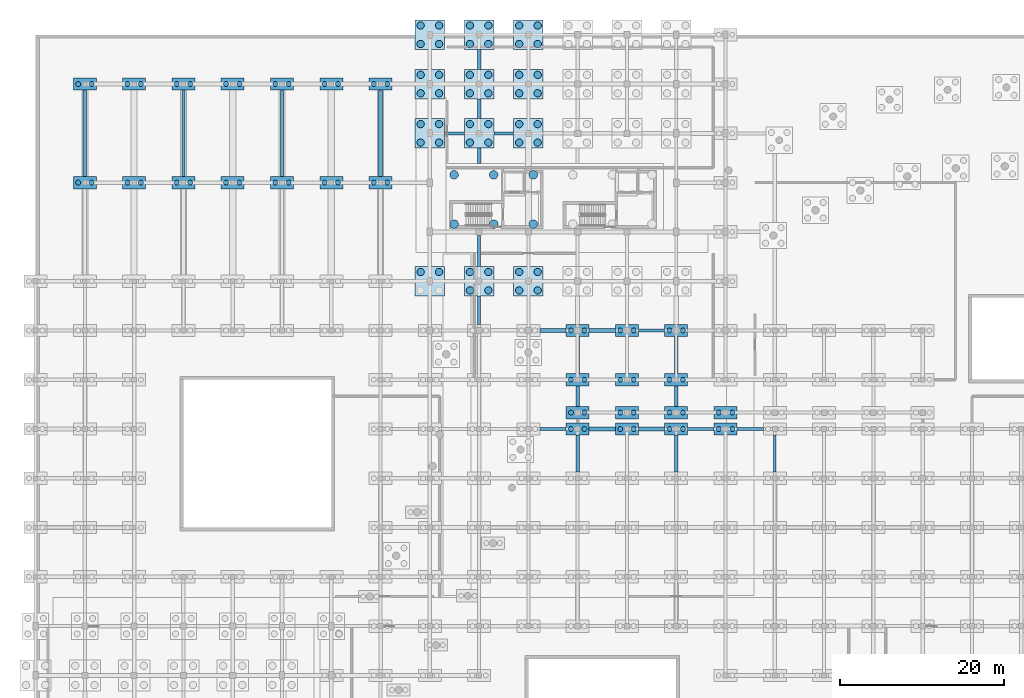
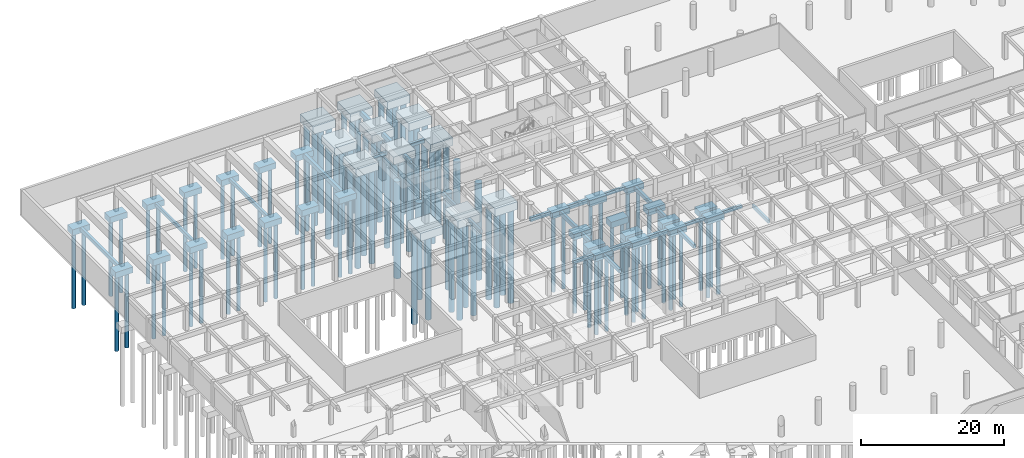
# One storey, part 7 of 41: 108 piles, 66 footings.
"""IFC4 building model written with IfcOpenShell, lengths in metres."""

from ifc_helpers import new_model, si_unit, direction, frame, origin, origin_2d, place, context, subcontext, project, spatial, polyline, rectangle, circle, outline, extrude, material, material_profile, profile_set, type_object, element, save


model = new_model("IFC4")

# Units and contexts
model_context = context("Model", 3, precision=1e-05, world=origin(), true_north=direction((0.0, 1.0)))
body_context = subcontext(model_context, "Body", "Model", "MODEL_VIEW")
ifc_project = project(units=[si_unit("LENGTHUNIT", "METRE"), si_unit("AREAUNIT", "SQUARE_METRE"), si_unit("VOLUMEUNIT", "CUBIC_METRE"), si_unit("PLANEANGLEUNIT", "RADIAN"), si_unit("MASSUNIT", "GRAM", prefix="KILO"), si_unit("POWERUNIT", "WATT"), si_unit("THERMODYNAMICTEMPERATUREUNIT", "KELVIN")], contexts=[model_context])

# Site, building, storey
site_placement = place(None, origin())
site = spatial("IfcSite", under=ifc_project, at=site_placement, CompositionType="ELEMENT")
building_placement = place(site_placement, origin())
building = spatial("IfcBuilding", under=site, at=building_placement, Name="Ruvembo Vaulted Housing Court", CompositionType="ELEMENT")
storey_placement = place(building_placement, frame((0.0, 0.0, -4.5)))
storey = spatial("IfcBuildingStorey", under=building, at=storey_placement, Name="B1", CompositionType="ELEMENT", Elevation=-4.5)

# Footings
ifc_material_1 = material(Name="Concrete C30/37", Category="concrete")
footing_type_1 = type_object("IfcFootingType", Name="GB-350x550", PredefinedType="FOOTING_BEAM", material=ifc_material_1)
footing_1_placement = place(storey_placement, frame((0.0, 0.0, -0.85009765625)))
element("IfcFooting", 1, at=footing_1_placement, inside=storey, type_object=footing_type_1, Name="Ground Tie Beam GB-120", PredefinedType="FOOTING_BEAM", context=body_context, shape_type="SweptSolid", body=[
    extrude(outline(polyline([(79.39990234375, 65.824951171875), (82.60009765625, 65.824951171875), (82.60009765625, 66.175048828125), (79.39990234375, 66.175048828125), (79.39990234375, 65.824951171875)])), origin(), (0.0, 0.0, 1.0), 0.550048828125),
])
footing_2_placement = place(storey_placement, frame((0.0, 0.0, -0.85009765625)))
element("IfcFooting", 2, at=footing_2_placement, inside=storey, type_object=footing_type_1, Name="Ground Tie Beam GB-150", PredefinedType="FOOTING_BEAM", context=body_context, shape_type="SweptSolid", body=[
    extrude(outline(polyline([(73.39990234375, 77.824951171875), (76.60009765625, 77.824951171875), (76.60009765625, 78.175048828125), (73.39990234375, 78.175048828125), (73.39990234375, 77.824951171875)])), origin(), (0.0, 0.0, 1.0), 0.550048828125),
])
footing_3_placement = place(storey_placement, frame((0.0, 0.0, -0.85009765625)))
element("IfcFooting", 3, at=footing_3_placement, inside=storey, type_object=footing_type_1, Name="Ground Tie Beam GB-168", PredefinedType="FOOTING_BEAM", context=body_context, shape_type="SweptSolid", body=[
    extrude(outline(polyline([(49.800048828125, 101.824951171875), (52.199951171875, 101.824951171875), (52.199951171875, 102.175048828125), (49.800048828125, 102.175048828125), (49.800048828125, 101.824951171875)])), origin(), (0.0, 0.0, 1.0), 0.550048828125),
])
footing_4_placement = place(storey_placement, frame((0.0, 0.0, -0.85009765625)))
element("IfcFooting", 4, at=footing_4_placement, inside=storey, type_object=footing_type_1, Name="Ground Tie Beam GB-204", PredefinedType="FOOTING_BEAM", context=body_context, shape_type="SweptSolid", body=[
    extrude(outline(polyline([(17.824951171875, 96.75), (18.175048828125, 96.75), (18.175048828125, 107.25), (17.824951171875, 107.25), (17.824951171875, 96.75)])), origin(), (0.0, 0.0, 1.0), 0.550048828125),
])
footing_5_placement = place(storey_placement, frame((0.0, 0.0, -0.85009765625)))
element("IfcFooting", 5, at=footing_5_placement, inside=storey, type_object=footing_type_1, Name="Ground Tie Beam GB-228", PredefinedType="FOOTING_BEAM", context=body_context, shape_type="SweptSolid", body=[
    extrude(outline(polyline([(53.824951171875, 78.75), (54.175048828125, 78.75), (54.175048828125, 82.199951171875), (53.824951171875, 82.199951171875), (53.824951171875, 78.75)])), origin(), (0.0, 0.0, 1.0), 0.550048828125),
])
footing_6_placement = place(storey_placement, frame((0.0, 0.0, -0.85009765625)))
element("IfcFooting", 6, at=footing_6_placement, inside=storey, type_object=footing_type_1, Name="Ground Tie Beam GB-258", PredefinedType="FOOTING_BEAM", context=body_context, shape_type="SweptSolid", body=[
    extrude(outline(polyline([(89.824951171875, 60.75), (90.175048828125, 60.75), (90.175048828125, 65.25), (89.824951171875, 65.25), (89.824951171875, 60.75)])), origin(), (0.0, 0.0, 1.0), 0.550048828125),
])
footing_type_2 = type_object("IfcFootingType", Name="GB-380x580", PredefinedType="FOOTING_BEAM", material=ifc_material_1)
footing_7_placement = place(storey_placement, frame((0.0, 0.0, -0.8798828125)))
element("IfcFooting", 7, at=footing_7_placement, inside=storey, type_object=footing_type_2, Name="Ground Tie Beam GB-121", PredefinedType="FOOTING_BEAM", context=body_context, shape_type="SweptSolid", body=[
    extrude(outline(polyline([(85.39990234375, 65.81005859375), (88.60009765625, 65.81005859375), (88.60009765625, 66.18994140625), (85.39990234375, 66.18994140625), (85.39990234375, 65.81005859375)])), origin(), (0.0, 0.0, 1.0), 0.579833984375),
])
footing_8_placement = place(storey_placement, frame((0.0, 0.0, -0.8798828125)))
element("IfcFooting", 8, at=footing_8_placement, inside=storey, type_object=footing_type_2, Name="Ground Tie Beam GB-169", PredefinedType="FOOTING_BEAM", context=body_context, shape_type="SweptSolid", body=[
    extrude(outline(polyline([(55.800048828125, 101.81005859375), (58.199951171875, 101.81005859375), (58.199951171875, 102.18994140625), (55.800048828125, 102.18994140625), (55.800048828125, 101.81005859375)])), origin(), (0.0, 0.0, 1.0), 0.579833984375),
])
footing_9_placement = place(storey_placement, frame((0.0, 0.0, -0.8798828125)))
element("IfcFooting", 9, at=footing_9_placement, inside=storey, type_object=footing_type_2, Name="Ground Tie Beam GB-211", PredefinedType="FOOTING_BEAM", context=body_context, shape_type="SweptSolid", body=[
    extrude(outline(polyline([(29.81005859375, 96.75), (30.18994140625, 96.75), (30.18994140625, 107.25), (29.81005859375, 107.25), (29.81005859375, 96.75)])), origin(), (0.0, 0.0, 1.0), 0.579833984375),
])
footing_10_placement = place(storey_placement, frame((0.0, 0.0, -0.8798828125)))
element("IfcFooting", 10, at=footing_10_placement, inside=storey, type_object=footing_type_2, Name="Ground Tie Beam GB-229", PredefinedType="FOOTING_BEAM", context=body_context, shape_type="SweptSolid", body=[
    extrude(outline(polyline([(53.81005859375, 85.800048828125), (54.18994140625, 85.800048828125), (54.18994140625, 89.550048828125), (53.81005859375, 89.550048828125), (53.81005859375, 85.800048828125)])), origin(), (0.0, 0.0, 1.0), 0.579833984375),
])
footing_type_3 = type_object("IfcFootingType", Name="GB-400x600", PredefinedType="FOOTING_BEAM", material=ifc_material_1)
footing_11_placement = place(storey_placement, frame((0.0, 0.0, -0.89990234375)))
element("IfcFooting", 11, at=footing_11_placement, inside=storey, type_object=footing_type_3, Name="Ground Tie Beam GB-230", PredefinedType="FOOTING_BEAM", context=body_context, shape_type="SweptSolid", body=[
    extrude(outline(polyline([(53.800048828125, 98.35009765625), (54.199951171875, 98.35009765625), (54.199951171875, 100.199951171875), (53.800048828125, 100.199951171875), (53.800048828125, 98.35009765625)])), origin(), (0.0, 0.0, 1.0), 0.599853515625),
])
footing_12_placement = place(storey_placement, frame((0.0, 0.0, -0.89990234375)))
element("IfcFooting", 12, at=footing_12_placement, inside=storey, type_object=footing_type_3, Name="Ground Tie Beam GB-236", PredefinedType="FOOTING_BEAM", context=body_context, shape_type="SweptSolid", body=[
    extrude(outline(polyline([(65.800048828125, 60.75), (66.199951171875, 60.75), (66.199951171875, 65.25), (65.800048828125, 65.25), (65.800048828125, 60.75)])), origin(), (0.0, 0.0, 1.0), 0.599853515625),
])
footing_13_placement = place(storey_placement, frame((0.0, 0.0, -0.89990234375)))
element("IfcFooting", 13, at=footing_13_placement, inside=storey, type_object=footing_type_3, Name="Ground Tie Beam GB-248", PredefinedType="FOOTING_BEAM", context=body_context, shape_type="SweptSolid", body=[
    extrude(outline(polyline([(77.800048828125, 60.75), (78.199951171875, 60.75), (78.199951171875, 65.25), (77.800048828125, 65.25), (77.800048828125, 60.75)])), origin(), (0.0, 0.0, 1.0), 0.599853515625),
])
footing_type_4 = type_object("IfcFootingType", Name="GB-420x620", PredefinedType="FOOTING_BEAM", material=ifc_material_1)
footing_14_placement = place(storey_placement, frame((0.0, 0.0, -0.919921875)))
element("IfcFooting", 14, at=footing_14_placement, inside=storey, type_object=footing_type_4, Name="Ground Tie Beam GB-117", PredefinedType="FOOTING_BEAM", context=body_context, shape_type="SweptSolid", body=[
    extrude(outline(polyline([(61.39990234375, 65.7900390625), (64.60009765625, 65.7900390625), (64.60009765625, 66.2099609375), (61.39990234375, 66.2099609375), (61.39990234375, 65.7900390625)])), origin(), (0.0, 0.0, 1.0), 0.619873046875),
])
footing_15_placement = place(storey_placement, frame((0.0, 0.0, -0.919921875)))
element("IfcFooting", 15, at=footing_15_placement, inside=storey, type_object=footing_type_4, Name="Ground Tie Beam GB-195", PredefinedType="FOOTING_BEAM", context=body_context, shape_type="SweptSolid", body=[
    extrude(outline(polyline([(5.7900390625, 96.75), (6.2099609375, 96.75), (6.2099609375, 107.25), (5.7900390625, 107.25), (5.7900390625, 96.75)])), origin(), (0.0, 0.0, 1.0), 0.619873046875),
])
footing_16_placement = place(storey_placement, frame((0.0, 0.0, -0.919921875)))
element("IfcFooting", 16, at=footing_16_placement, inside=storey, type_object=footing_type_4, Name="Ground Tie Beam GB-231", PredefinedType="FOOTING_BEAM", context=body_context, shape_type="SweptSolid", body=[
    extrude(outline(polyline([(53.7900390625, 103.800048828125), (54.2099609375, 103.800048828125), (54.2099609375, 106.199951171875), (53.7900390625, 106.199951171875), (53.7900390625, 103.800048828125)])), origin(), (0.0, 0.0, 1.0), 0.619873046875),
])
footing_17_placement = place(storey_placement, frame((0.0, 0.0, -0.919921875)))
element("IfcFooting", 17, at=footing_17_placement, inside=storey, type_object=footing_type_4, Name="Ground Tie Beam GB-237", PredefinedType="FOOTING_BEAM", context=body_context, shape_type="SweptSolid", body=[
    extrude(outline(polyline([(65.7900390625, 68.75), (66.2099609375, 68.75), (66.2099609375, 71.25), (65.7900390625, 71.25), (65.7900390625, 68.75)])), origin(), (0.0, 0.0, 1.0), 0.619873046875),
])
footing_18_placement = place(storey_placement, frame((0.0, 0.0, -0.919921875)))
element("IfcFooting", 18, at=footing_18_placement, inside=storey, type_object=footing_type_4, Name="Ground Tie Beam GB-249", PredefinedType="FOOTING_BEAM", context=body_context, shape_type="SweptSolid", body=[
    extrude(outline(polyline([(77.7900390625, 68.75), (78.2099609375, 68.75), (78.2099609375, 71.25), (77.7900390625, 71.25), (77.7900390625, 68.75)])), origin(), (0.0, 0.0, 1.0), 0.619873046875),
])
footing_type_5 = type_object("IfcFootingType", Name="GB-450x650", PredefinedType="FOOTING_BEAM", material=ifc_material_1)
footing_19_placement = place(storey_placement, frame((0.0, 0.0, -0.949951171875)))
element("IfcFooting", 19, at=footing_19_placement, inside=storey, type_object=footing_type_5, Name="Ground Tie Beam GB-118", PredefinedType="FOOTING_BEAM", context=body_context, shape_type="SweptSolid", body=[
    extrude(outline(polyline([(67.39990234375, 65.77490234375), (70.60009765625, 65.77490234375), (70.60009765625, 66.22509765625), (67.39990234375, 66.22509765625), (67.39990234375, 65.77490234375)])), origin(), (0.0, 0.0, 1.0), 0.64990234375),
])
footing_20_placement = place(storey_placement, frame((0.0, 0.0, -0.949951171875)))
element("IfcFooting", 20, at=footing_20_placement, inside=storey, type_object=footing_type_5, Name="Ground Tie Beam GB-148", PredefinedType="FOOTING_BEAM", context=body_context, shape_type="SweptSolid", body=[
    extrude(outline(polyline([(61.39990234375, 77.77490234375), (64.60009765625, 77.77490234375), (64.60009765625, 78.22509765625), (61.39990234375, 78.22509765625), (61.39990234375, 77.77490234375)])), origin(), (0.0, 0.0, 1.0), 0.64990234375),
])
footing_21_placement = place(storey_placement, frame((0.0, 0.0, -0.949951171875)))
element("IfcFooting", 21, at=footing_21_placement, inside=storey, type_object=footing_type_5, Name="Ground Tie Beam GB-232", PredefinedType="FOOTING_BEAM", context=body_context, shape_type="SweptSolid", body=[
    extrude(outline(polyline([(53.77490234375, 109.800048828125), (54.22509765625, 109.800048828125), (54.22509765625, 112.199951171875), (53.77490234375, 112.199951171875), (53.77490234375, 109.800048828125)])), origin(), (0.0, 0.0, 1.0), 0.64990234375),
])
footing_22_placement = place(storey_placement, frame((0.0, 0.0, -0.949951171875)))
element("IfcFooting", 22, at=footing_22_placement, inside=storey, type_object=footing_type_5, Name="Ground Tie Beam GB-238", PredefinedType="FOOTING_BEAM", context=body_context, shape_type="SweptSolid", body=[
    extrude(outline(polyline([(65.77490234375, 72.75), (66.22509765625, 72.75), (66.22509765625, 77.25), (65.77490234375, 77.25), (65.77490234375, 72.75)])), origin(), (0.0, 0.0, 1.0), 0.64990234375),
])
footing_23_placement = place(storey_placement, frame((0.0, 0.0, -0.949951171875)))
element("IfcFooting", 23, at=footing_23_placement, inside=storey, type_object=footing_type_5, Name="Ground Tie Beam GB-250", PredefinedType="FOOTING_BEAM", context=body_context, shape_type="SweptSolid", body=[
    extrude(outline(polyline([(77.77490234375, 72.75), (78.22509765625, 72.75), (78.22509765625, 77.25), (77.77490234375, 77.25), (77.77490234375, 72.75)])), origin(), (0.0, 0.0, 1.0), 0.64990234375),
])
footing_type_6 = type_object("IfcFootingType", Name="GB-500x700", PredefinedType="FOOTING_BEAM", material=ifc_material_1)
footing_24_placement = place(storey_placement, frame((0.0, 0.0, -1.0)))
element("IfcFooting", 24, at=footing_24_placement, inside=storey, type_object=footing_type_6, Name="Ground Tie Beam GB-119", PredefinedType="FOOTING_BEAM", context=body_context, shape_type="SweptSolid", body=[
    extrude(outline(polyline([(73.39990234375, 65.75), (76.60009765625, 65.75), (76.60009765625, 66.25), (73.39990234375, 66.25), (73.39990234375, 65.75)])), origin(), (0.0, 0.0, 1.0), 0.699951171875),
])
footing_25_placement = place(storey_placement, frame((0.0, 0.0, -1.0)))
element("IfcFooting", 25, at=footing_25_placement, inside=storey, type_object=footing_type_6, Name="Ground Tie Beam GB-149", PredefinedType="FOOTING_BEAM", context=body_context, shape_type="SweptSolid", body=[
    extrude(outline(polyline([(67.39990234375, 77.75), (70.60009765625, 77.75), (70.60009765625, 78.25), (67.39990234375, 78.25), (67.39990234375, 77.75)])), origin(), (0.0, 0.0, 1.0), 0.699951171875),
])
footing_26_placement = place(storey_placement, frame((0.0, 0.0, -1.0)))
element("IfcFooting", 26, at=footing_26_placement, inside=storey, type_object=footing_type_6, Name="Ground Tie Beam GB-221", PredefinedType="FOOTING_BEAM", context=body_context, shape_type="SweptSolid", body=[
    extrude(outline(polyline([(41.75, 96.75), (42.25, 96.75), (42.25, 107.25), (41.75, 107.25), (41.75, 96.75)])), origin(), (0.0, 0.0, 1.0), 0.699951171875),
])
ifc_material_2 = material(Name="Concrete C35/45", Category="concrete")
footing_type_7 = type_object("IfcFootingType", Name="PC-2P-A", PredefinedType="PILE_CAP", material=ifc_material_2)
for number, where, z_axis, x_axis, name in (
    (27, (6.0, 96.0, -1.300048828125), (0.0, 0.0, 1.0), (1.0, 0.0, 0.0), "Pile Cap PC1 #29"),
    (28, (6.0, 108.0, -1.300048828125), (0.0, 0.0, 1.0), (1.0, 0.0, 0.0), "Pile Cap PC1 #30"),
    (29, (12.0, 96.0, -1.300048828125), (0.0, 0.0, 1.0), (1.0, 0.0, 0.0), "Pile Cap PC1 #43"),
    (30, (12.0, 108.0, -1.300048828125), (0.0, 0.0, 1.0), (1.0, 0.0, 0.0), "Pile Cap PC1 #44"),
    (31, (18.0, 96.0, -1.300048828125), (0.0, 0.0, 1.0), (1.0, 0.0, 0.0), "Pile Cap PC1 #53"),
    (32, (18.0, 108.0, -1.300048828125), (0.0, 0.0, 1.0), (1.0, 0.0, 0.0), "Pile Cap PC1 #54"),
    (33, (24.0, 96.0, -1.300048828125), (0.0, 0.0, 1.0), (1.0, 0.0, 0.0), "Pile Cap PC1 #63"),
    (34, (24.0, 108.0, -1.300048828125), (0.0, 0.0, 1.0), (1.0, 0.0, 0.0), "Pile Cap PC1 #64"),
    (35, (30.0, 96.0, -1.300048828125), (0.0, 0.0, 1.0), (1.0, 0.0, 0.0), "Pile Cap PC1 #73"),
    (36, (30.0, 108.0, -1.300048828125), (0.0, 0.0, 1.0), (1.0, 0.0, 0.0), "Pile Cap PC1 #74"),
    (37, (36.0, 96.0, -1.300048828125), (0.0, 0.0, 1.0), (1.0, 0.0, 0.0), "Pile Cap PC1 #85"),
    (38, (36.0, 108.0, -1.300048828125), (0.0, 0.0, 1.0), (1.0, 0.0, 0.0), "Pile Cap PC1 #86"),
    (39, (42.0, 96.0, -1.300048828125), (0.0, 0.0, 1.0), (1.0, 0.0, 0.0), "Pile Cap PC1 #96"),
    (40, (42.0, 108.0, -1.300048828125), (0.0, 0.0, 1.0), (1.0, 0.0, 0.0), "Pile Cap PC1 #97"),
    (41, (66.0, 66.0, -1.300048828125), (0.0, 0.0, 1.0), (1.0, 0.0, 0.0), "Pile Cap PC1 #137"),
    (42, (66.0, 68.0, -1.300048828125), (0.0, 0.0, 1.0), (1.0, 0.0, 0.0), "Pile Cap PC1 #138"),
    (43, (66.0, 72.0, -1.300048828125), (0.0, 0.0, 1.0), (1.0, 0.0, 0.0), "Pile Cap PC1 #139"),
    (44, (66.0, 78.0, -1.300048828125), (0.0, 0.0, 1.0), (1.0, 0.0, 0.0), "Pile Cap PC1 #140"),
    (45, (72.0, 66.0, -1.300048828125), (0.0, 0.0, 1.0), (1.0, 0.0, 0.0), "Pile Cap PC1 #149"),
    (46, (72.0, 68.0, -1.300048828125), (0.0, 0.0, 1.0), (1.0, 0.0, 0.0), "Pile Cap PC1 #150"),
    (47, (72.0, 72.0, -1.300048828125), (0.0, 0.0, 1.0), (1.0, 0.0, 0.0), "Pile Cap PC1 #151"),
    (48, (72.0, 78.0, -1.300048828125), (0.0, 0.0, 1.0), (1.0, 0.0, 0.0), "Pile Cap PC1 #152"),
    (49, (78.0, 66.0, -1.300048828125), (0.0, 0.0, 1.0), (1.0, 0.0, 0.0), "Pile Cap PC1 #161"),
    (50, (78.0, 68.0, -1.300048828125), (0.0, 0.0, 1.0), (1.0, 0.0, 0.0), "Pile Cap PC1 #162"),
    (51, (78.0, 72.0, -1.300048828125), (0.0, 0.0, 1.0), (1.0, 0.0, 0.0), "Pile Cap PC1 #163"),
    (52, (78.0, 78.0, -1.300048828125), (0.0, 0.0, 1.0), (1.0, 0.0, 0.0), "Pile Cap PC1 #164"),
    (53, (84.0, 66.0, -1.300048828125), (0.0, 0.0, 1.0), (1.0, 0.0, 0.0), "Pile Cap PC1 #174"),
    (54, (84.0, 68.0, -1.300048828125), (0.0, 0.0, 1.0), (1.0, 0.0, 0.0), "Pile Cap PC1 #175"),
):
    element("IfcFooting", number, at=place(storey_placement, frame(where, z_axis=z_axis, x_axis=x_axis)), inside=storey, type_object=footing_type_7, Name=name, PredefinedType="PILE_CAP", context=body_context, shape_type="SweptSolid", body=[
        extrude(rectangle(XDim=2.800048828125, YDim=1.5, at=origin_2d()), origin(), (0.0, 0.0, 1.0), 1.0),
    ])
footing_type_8 = type_object("IfcFootingType", Name="PC-4P-C", PredefinedType="PILE_CAP", material=ifc_material_2)
for number, where, z_axis, x_axis, name in (
    (55, (48.0, 84.0, -1.650146484375), (0.0, 0.0, 1.0), (1.0, 0.0, 0.0), "Pile Cap PC6 #106"),
    (56, (48.0, 102.0, -1.650146484375), (0.0, 0.0, 1.0), (1.0, 0.0, 0.0), "Pile Cap PC6 #107"),
    (57, (48.0, 108.0, -1.650146484375), (0.0, 0.0, 1.0), (1.0, 0.0, 0.0), "Pile Cap PC6 #108"),
    (58, (48.0, 114.0, -1.650146484375), (0.0, 0.0, 1.0), (1.0, 0.0, 0.0), "Pile Cap PC6 #109"),
    (59, (54.0, 84.0, -1.650146484375), (0.0, 0.0, 1.0), (1.0, 0.0, 0.0), "Pile Cap PC6 #118"),
    (60, (54.0, 102.0, -1.650146484375), (0.0, 0.0, 1.0), (1.0, 0.0, 0.0), "Pile Cap PC6 #119"),
    (61, (54.0, 108.0, -1.650146484375), (0.0, 0.0, 1.0), (1.0, 0.0, 0.0), "Pile Cap PC6 #120"),
    (62, (54.0, 114.0, -1.650146484375), (0.0, 0.0, 1.0), (1.0, 0.0, 0.0), "Pile Cap PC6 #121"),
    (63, (60.0, 84.0, -1.650146484375), (0.0, 0.0, 1.0), (1.0, 0.0, 0.0), "Pile Cap PC6 #129"),
    (64, (60.0, 102.0, -1.650146484375), (0.0, 0.0, 1.0), (1.0, 0.0, 0.0), "Pile Cap PC6 #130"),
    (65, (60.0, 108.0, -1.650146484375), (0.0, 0.0, 1.0), (1.0, 0.0, 0.0), "Pile Cap PC6 #131"),
    (66, (60.0, 114.0, -1.650146484375), (0.0, 0.0, 1.0), (1.0, 0.0, 0.0), "Pile Cap PC6 #132"),
):
    element("IfcFooting", number, at=place(storey_placement, frame(where, z_axis=z_axis, x_axis=x_axis)), inside=storey, type_object=footing_type_8, Name=name, PredefinedType="PILE_CAP", context=body_context, shape_type="SweptSolid", body=[
        extrude(rectangle(XDim=3.60009765625, YDim=3.60009765625, at=origin_2d()), origin(), (0.0, 0.0, 1.0), 1.35009765625),
    ])

# Piles
ifc_material_profile_1 = material_profile(ifc_material_1, circle(Radius=0.52490234375, at=origin_2d()), Name="PILE D1050")
ifc_profile_set_1 = profile_set([ifc_material_profile_1], Name="Concrete C30/37")
pile_type_1 = type_object("IfcPileType", Name="PILE-BORED-1050", PredefinedType="BORED", material=ifc_profile_set_1)
for number, where, z_axis, x_axis, name in (
    (67, (50.949951171875, 90.949951171875, -1.75), (0.0, 0.0, -1.0), (1.0, 0.0, 0.0), "Bored Pile PILE-0013"),
    (68, (50.949951171875, 96.949951171875, -1.75), (0.0, 0.0, -1.0), (1.0, 0.0, 0.0), "Bored Pile PILE-0014"),
    (69, (55.77001953125, 90.949951171875, -1.75), (0.0, 0.0, -1.0), (1.0, 0.0, 0.0), "Bored Pile PILE-0015"),
    (70, (55.77001953125, 96.949951171875, -1.75), (0.0, 0.0, -1.0), (1.0, 0.0, 0.0), "Bored Pile PILE-0016"),
    (71, (60.590087890625, 90.949951171875, -1.75), (0.0, 0.0, -1.0), (1.0, 0.0, 0.0), "Bored Pile PILE-0017"),
    (72, (60.590087890625, 96.949951171875, -1.75), (0.0, 0.0, -1.0), (1.0, 0.0, 0.0), "Bored Pile PILE-0018"),
):
    element("IfcPile", number, at=place(storey_placement, frame(where, z_axis=z_axis, x_axis=x_axis)), inside=storey, type_object=pile_type_1, Name=name, PredefinedType="BORED", context=body_context, shape_type="SweptSolid", body=[
        extrude(circle(Radius=0.52490234375, at=origin_2d()), origin(), (0.0, 0.0, 1.0), 16.5),
    ])
ifc_material_profile_2 = material_profile(ifc_material_1, circle(Radius=0.300048828125, at=origin_2d()), Name="PILE D600")
ifc_profile_set_2 = profile_set([ifc_material_profile_2], Name="Concrete C30/37")
pile_type_2 = type_object("IfcPileType", Name="PILE-BORED-600", PredefinedType="BORED", material=ifc_profile_set_2)
for number, where, z_axis, x_axis, name in (
    (73, (5.179931640625, 96.0, -1.199951171875), (0.0, 0.0, -1.0), (1.0, 0.0, 0.0), "Bored Pile PILE-0117"),
    (74, (6.820068359375, 96.0, -1.199951171875), (0.0, 0.0, -1.0), (1.0, 0.0, 0.0), "Bored Pile PILE-0118"),
    (75, (5.179931640625, 108.0, -1.199951171875), (0.0, 0.0, -1.0), (1.0, 0.0, 0.0), "Bored Pile PILE-0119"),
    (76, (6.820068359375, 108.0, -1.199951171875), (0.0, 0.0, -1.0), (1.0, 0.0, 0.0), "Bored Pile PILE-0120"),
    (77, (11.179931640625, 96.0, -1.199951171875), (0.0, 0.0, -1.0), (1.0, 0.0, 0.0), "Bored Pile PILE-0155"),
    (78, (12.820068359375, 96.0, -1.199951171875), (0.0, 0.0, -1.0), (1.0, 0.0, 0.0), "Bored Pile PILE-0156"),
    (79, (11.179931640625, 108.0, -1.199951171875), (0.0, 0.0, -1.0), (1.0, 0.0, 0.0), "Bored Pile PILE-0157"),
    (80, (12.820068359375, 108.0, -1.199951171875), (0.0, 0.0, -1.0), (1.0, 0.0, 0.0), "Bored Pile PILE-0158"),
    (81, (17.179931640625, 96.0, -1.199951171875), (0.0, 0.0, -1.0), (1.0, 0.0, 0.0), "Bored Pile PILE-0185"),
    (82, (18.820068359375, 96.0, -1.199951171875), (0.0, 0.0, -1.0), (1.0, 0.0, 0.0), "Bored Pile PILE-0186"),
    (83, (17.179931640625, 108.0, -1.199951171875), (0.0, 0.0, -1.0), (1.0, 0.0, 0.0), "Bored Pile PILE-0187"),
    (84, (18.820068359375, 108.0, -1.199951171875), (0.0, 0.0, -1.0), (1.0, 0.0, 0.0), "Bored Pile PILE-0188"),
    (85, (23.179931640625, 96.0, -1.199951171875), (0.0, 0.0, -1.0), (1.0, 0.0, 0.0), "Bored Pile PILE-0215"),
    (86, (24.820068359375, 96.0, -1.199951171875), (0.0, 0.0, -1.0), (1.0, 0.0, 0.0), "Bored Pile PILE-0216"),
    (87, (23.179931640625, 108.0, -1.199951171875), (0.0, 0.0, -1.0), (1.0, 0.0, 0.0), "Bored Pile PILE-0217"),
    (88, (24.820068359375, 108.0, -1.199951171875), (0.0, 0.0, -1.0), (1.0, 0.0, 0.0), "Bored Pile PILE-0218"),
    (89, (29.179931640625, 96.0, -1.199951171875), (0.0, 0.0, -1.0), (1.0, 0.0, 0.0), "Bored Pile PILE-0245"),
    (90, (30.820068359375, 96.0, -1.199951171875), (0.0, 0.0, -1.0), (1.0, 0.0, 0.0), "Bored Pile PILE-0246"),
    (91, (29.179931640625, 108.0, -1.199951171875), (0.0, 0.0, -1.0), (1.0, 0.0, 0.0), "Bored Pile PILE-0247"),
    (92, (30.820068359375, 108.0, -1.199951171875), (0.0, 0.0, -1.0), (1.0, 0.0, 0.0), "Bored Pile PILE-0248"),
    (93, (35.179931640625, 96.0, -1.199951171875), (0.0, 0.0, -1.0), (1.0, 0.0, 0.0), "Bored Pile PILE-0271"),
    (94, (36.820068359375, 96.0, -1.199951171875), (0.0, 0.0, -1.0), (1.0, 0.0, 0.0), "Bored Pile PILE-0272"),
    (95, (35.179931640625, 108.0, -1.199951171875), (0.0, 0.0, -1.0), (1.0, 0.0, 0.0), "Bored Pile PILE-0273"),
    (96, (36.820068359375, 108.0, -1.199951171875), (0.0, 0.0, -1.0), (1.0, 0.0, 0.0), "Bored Pile PILE-0274"),
    (97, (41.179931640625, 96.0, -1.199951171875), (0.0, 0.0, -1.0), (1.0, 0.0, 0.0), "Bored Pile PILE-0293"),
    (98, (42.820068359375, 96.0, -1.199951171875), (0.0, 0.0, -1.0), (1.0, 0.0, 0.0), "Bored Pile PILE-0294"),
    (99, (41.179931640625, 108.0, -1.199951171875), (0.0, 0.0, -1.0), (1.0, 0.0, 0.0), "Bored Pile PILE-0295"),
    (100, (42.820068359375, 108.0, -1.199951171875), (0.0, 0.0, -1.0), (1.0, 0.0, 0.0), "Bored Pile PILE-0296"),
    (101, (65.179931640625, 66.0, -1.199951171875), (0.0, 0.0, -1.0), (1.0, 0.0, 0.0), "Bored Pile PILE-0399"),
    (102, (66.820068359375, 66.0, -1.199951171875), (0.0, 0.0, -1.0), (1.0, 0.0, 0.0), "Bored Pile PILE-0400"),
    (103, (65.179931640625, 68.0, -1.199951171875), (0.0, 0.0, -1.0), (1.0, 0.0, 0.0), "Bored Pile PILE-0401"),
    (104, (66.820068359375, 68.0, -1.199951171875), (0.0, 0.0, -1.0), (1.0, 0.0, 0.0), "Bored Pile PILE-0402"),
    (105, (65.179931640625, 72.0, -1.199951171875), (0.0, 0.0, -1.0), (1.0, 0.0, 0.0), "Bored Pile PILE-0403"),
    (106, (66.820068359375, 72.0, -1.199951171875), (0.0, 0.0, -1.0), (1.0, 0.0, 0.0), "Bored Pile PILE-0404"),
    (107, (65.179931640625, 78.0, -1.199951171875), (0.0, 0.0, -1.0), (1.0, 0.0, 0.0), "Bored Pile PILE-0405"),
    (108, (66.820068359375, 78.0, -1.199951171875), (0.0, 0.0, -1.0), (1.0, 0.0, 0.0), "Bored Pile PILE-0406"),
    (109, (71.179931640625, 66.0, -1.199951171875), (0.0, 0.0, -1.0), (1.0, 0.0, 0.0), "Bored Pile PILE-0431"),
    (110, (72.820068359375, 66.0, -1.199951171875), (0.0, 0.0, -1.0), (1.0, 0.0, 0.0), "Bored Pile PILE-0432"),
    (111, (71.179931640625, 68.0, -1.199951171875), (0.0, 0.0, -1.0), (1.0, 0.0, 0.0), "Bored Pile PILE-0433"),
    (112, (72.820068359375, 68.0, -1.199951171875), (0.0, 0.0, -1.0), (1.0, 0.0, 0.0), "Bored Pile PILE-0434"),
    (113, (71.179931640625, 72.0, -1.199951171875), (0.0, 0.0, -1.0), (1.0, 0.0, 0.0), "Bored Pile PILE-0435"),
    (114, (72.820068359375, 72.0, -1.199951171875), (0.0, 0.0, -1.0), (1.0, 0.0, 0.0), "Bored Pile PILE-0436"),
    (115, (71.179931640625, 78.0, -1.199951171875), (0.0, 0.0, -1.0), (1.0, 0.0, 0.0), "Bored Pile PILE-0437"),
    (116, (72.820068359375, 78.0, -1.199951171875), (0.0, 0.0, -1.0), (1.0, 0.0, 0.0), "Bored Pile PILE-0438"),
    (117, (77.179931640625, 66.0, -1.199951171875), (0.0, 0.0, -1.0), (1.0, 0.0, 0.0), "Bored Pile PILE-0463"),
    (118, (78.820068359375, 66.0, -1.199951171875), (0.0, 0.0, -1.0), (1.0, 0.0, 0.0), "Bored Pile PILE-0464"),
    (119, (77.179931640625, 68.0, -1.199951171875), (0.0, 0.0, -1.0), (1.0, 0.0, 0.0), "Bored Pile PILE-0465"),
    (120, (78.820068359375, 68.0, -1.199951171875), (0.0, 0.0, -1.0), (1.0, 0.0, 0.0), "Bored Pile PILE-0466"),
    (121, (77.179931640625, 72.0, -1.199951171875), (0.0, 0.0, -1.0), (1.0, 0.0, 0.0), "Bored Pile PILE-0467"),
    (122, (78.820068359375, 72.0, -1.199951171875), (0.0, 0.0, -1.0), (1.0, 0.0, 0.0), "Bored Pile PILE-0468"),
    (123, (77.179931640625, 78.0, -1.199951171875), (0.0, 0.0, -1.0), (1.0, 0.0, 0.0), "Bored Pile PILE-0469"),
    (124, (78.820068359375, 78.0, -1.199951171875), (0.0, 0.0, -1.0), (1.0, 0.0, 0.0), "Bored Pile PILE-0470"),
    (125, (83.179931640625, 66.0, -1.199951171875), (0.0, 0.0, -1.0), (1.0, 0.0, 0.0), "Bored Pile PILE-0497"),
    (126, (84.820068359375, 66.0, -1.199951171875), (0.0, 0.0, -1.0), (1.0, 0.0, 0.0), "Bored Pile PILE-0498"),
    (127, (83.179931640625, 68.0, -1.199951171875), (0.0, 0.0, -1.0), (1.0, 0.0, 0.0), "Bored Pile PILE-0499"),
    (128, (84.820068359375, 68.0, -1.199951171875), (0.0, 0.0, -1.0), (1.0, 0.0, 0.0), "Bored Pile PILE-0500"),
):
    element("IfcPile", number, at=place(storey_placement, frame(where, z_axis=z_axis, x_axis=x_axis)), inside=storey, type_object=pile_type_2, Name=name, PredefinedType="BORED", context=body_context, shape_type="SweptSolid", body=[
        extrude(circle(Radius=0.300048828125, at=origin_2d()), origin(), (0.0, 0.0, 1.0), 13.0),
    ])
ifc_material_profile_3 = material_profile(ifc_material_1, circle(Radius=0.449951171875, at=origin_2d()), Name="PILE D900")
ifc_profile_set_3 = profile_set([ifc_material_profile_3], Name="Concrete C30/37")
pile_type_3 = type_object("IfcPileType", Name="PILE-BORED-900", PredefinedType="BORED", material=ifc_profile_set_3)
for number, where, z_axis, x_axis, name in (
    (129, (46.875, 85.125, -1.550048828125), (0.0, 0.0, -1.0), (1.0, 0.0, 0.0), "Bored Pile PILE-0315"),
    (130, (49.125, 85.125, -1.550048828125), (0.0, 0.0, -1.0), (1.0, 0.0, 0.0), "Bored Pile PILE-0316"),
    (131, (46.875, 100.875, -1.550048828125), (0.0, 0.0, -1.0), (1.0, 0.0, 0.0), "Bored Pile PILE-0317"),
    (132, (49.125, 100.875, -1.550048828125), (0.0, 0.0, -1.0), (1.0, 0.0, 0.0), "Bored Pile PILE-0318"),
    (133, (46.875, 103.125, -1.550048828125), (0.0, 0.0, -1.0), (1.0, 0.0, 0.0), "Bored Pile PILE-0319"),
    (134, (49.125, 103.125, -1.550048828125), (0.0, 0.0, -1.0), (1.0, 0.0, 0.0), "Bored Pile PILE-0320"),
    (135, (46.875, 106.875, -1.550048828125), (0.0, 0.0, -1.0), (1.0, 0.0, 0.0), "Bored Pile PILE-0321"),
    (136, (49.125, 106.875, -1.550048828125), (0.0, 0.0, -1.0), (1.0, 0.0, 0.0), "Bored Pile PILE-0322"),
    (137, (46.875, 109.125, -1.550048828125), (0.0, 0.0, -1.0), (1.0, 0.0, 0.0), "Bored Pile PILE-0323"),
    (138, (49.125, 109.125, -1.550048828125), (0.0, 0.0, -1.0), (1.0, 0.0, 0.0), "Bored Pile PILE-0324"),
    (139, (46.875, 112.875, -1.550048828125), (0.0, 0.0, -1.0), (1.0, 0.0, 0.0), "Bored Pile PILE-0325"),
    (140, (49.125, 112.875, -1.550048828125), (0.0, 0.0, -1.0), (1.0, 0.0, 0.0), "Bored Pile PILE-0326"),
    (141, (46.875, 115.125, -1.550048828125), (0.0, 0.0, -1.0), (1.0, 0.0, 0.0), "Bored Pile PILE-0327"),
    (142, (49.125, 115.125, -1.550048828125), (0.0, 0.0, -1.0), (1.0, 0.0, 0.0), "Bored Pile PILE-0328"),
    (143, (52.875, 82.875, -1.550048828125), (0.0, 0.0, -1.0), (1.0, 0.0, 0.0), "Bored Pile PILE-0345"),
    (144, (55.125, 82.875, -1.550048828125), (0.0, 0.0, -1.0), (1.0, 0.0, 0.0), "Bored Pile PILE-0346"),
    (145, (52.875, 85.125, -1.550048828125), (0.0, 0.0, -1.0), (1.0, 0.0, 0.0), "Bored Pile PILE-0347"),
    (146, (55.125, 85.125, -1.550048828125), (0.0, 0.0, -1.0), (1.0, 0.0, 0.0), "Bored Pile PILE-0348"),
    (147, (52.875, 100.875, -1.550048828125), (0.0, 0.0, -1.0), (1.0, 0.0, 0.0), "Bored Pile PILE-0349"),
    (148, (55.125, 100.875, -1.550048828125), (0.0, 0.0, -1.0), (1.0, 0.0, 0.0), "Bored Pile PILE-0350"),
    (149, (52.875, 103.125, -1.550048828125), (0.0, 0.0, -1.0), (1.0, 0.0, 0.0), "Bored Pile PILE-0351"),
    (150, (55.125, 103.125, -1.550048828125), (0.0, 0.0, -1.0), (1.0, 0.0, 0.0), "Bored Pile PILE-0352"),
    (151, (52.875, 106.875, -1.550048828125), (0.0, 0.0, -1.0), (1.0, 0.0, 0.0), "Bored Pile PILE-0353"),
    (152, (55.125, 106.875, -1.550048828125), (0.0, 0.0, -1.0), (1.0, 0.0, 0.0), "Bored Pile PILE-0354"),
    (153, (52.875, 109.125, -1.550048828125), (0.0, 0.0, -1.0), (1.0, 0.0, 0.0), "Bored Pile PILE-0355"),
    (154, (55.125, 109.125, -1.550048828125), (0.0, 0.0, -1.0), (1.0, 0.0, 0.0), "Bored Pile PILE-0356"),
    (155, (52.875, 112.875, -1.550048828125), (0.0, 0.0, -1.0), (1.0, 0.0, 0.0), "Bored Pile PILE-0357"),
    (156, (55.125, 112.875, -1.550048828125), (0.0, 0.0, -1.0), (1.0, 0.0, 0.0), "Bored Pile PILE-0358"),
    (157, (52.875, 115.125, -1.550048828125), (0.0, 0.0, -1.0), (1.0, 0.0, 0.0), "Bored Pile PILE-0359"),
    (158, (55.125, 115.125, -1.550048828125), (0.0, 0.0, -1.0), (1.0, 0.0, 0.0), "Bored Pile PILE-0360"),
    (159, (58.875, 82.875, -1.550048828125), (0.0, 0.0, -1.0), (1.0, 0.0, 0.0), "Bored Pile PILE-0375"),
    (160, (61.125, 82.875, -1.550048828125), (0.0, 0.0, -1.0), (1.0, 0.0, 0.0), "Bored Pile PILE-0376"),
    (161, (58.875, 85.125, -1.550048828125), (0.0, 0.0, -1.0), (1.0, 0.0, 0.0), "Bored Pile PILE-0377"),
    (162, (61.125, 85.125, -1.550048828125), (0.0, 0.0, -1.0), (1.0, 0.0, 0.0), "Bored Pile PILE-0378"),
    (163, (58.875, 100.875, -1.550048828125), (0.0, 0.0, -1.0), (1.0, 0.0, 0.0), "Bored Pile PILE-0379"),
    (164, (61.125, 100.875, -1.550048828125), (0.0, 0.0, -1.0), (1.0, 0.0, 0.0), "Bored Pile PILE-0380"),
    (165, (58.875, 103.125, -1.550048828125), (0.0, 0.0, -1.0), (1.0, 0.0, 0.0), "Bored Pile PILE-0381"),
    (166, (61.125, 103.125, -1.550048828125), (0.0, 0.0, -1.0), (1.0, 0.0, 0.0), "Bored Pile PILE-0382"),
    (167, (58.875, 106.875, -1.550048828125), (0.0, 0.0, -1.0), (1.0, 0.0, 0.0), "Bored Pile PILE-0383"),
    (168, (61.125, 106.875, -1.550048828125), (0.0, 0.0, -1.0), (1.0, 0.0, 0.0), "Bored Pile PILE-0384"),
    (169, (58.875, 109.125, -1.550048828125), (0.0, 0.0, -1.0), (1.0, 0.0, 0.0), "Bored Pile PILE-0385"),
    (170, (61.125, 109.125, -1.550048828125), (0.0, 0.0, -1.0), (1.0, 0.0, 0.0), "Bored Pile PILE-0386"),
    (171, (58.875, 112.875, -1.550048828125), (0.0, 0.0, -1.0), (1.0, 0.0, 0.0), "Bored Pile PILE-0387"),
    (172, (61.125, 112.875, -1.550048828125), (0.0, 0.0, -1.0), (1.0, 0.0, 0.0), "Bored Pile PILE-0388"),
    (173, (58.875, 115.125, -1.550048828125), (0.0, 0.0, -1.0), (1.0, 0.0, 0.0), "Bored Pile PILE-0389"),
    (174, (61.125, 115.125, -1.550048828125), (0.0, 0.0, -1.0), (1.0, 0.0, 0.0), "Bored Pile PILE-0390"),
):
    element("IfcPile", number, at=place(storey_placement, frame(where, z_axis=z_axis, x_axis=x_axis)), inside=storey, type_object=pile_type_3, Name=name, PredefinedType="BORED", context=body_context, shape_type="SweptSolid", body=[
        extrude(circle(Radius=0.449951171875, at=origin_2d()), origin(), (0.0, 0.0, 1.0), 16.0),
    ])

save(model, "model.ifc")
